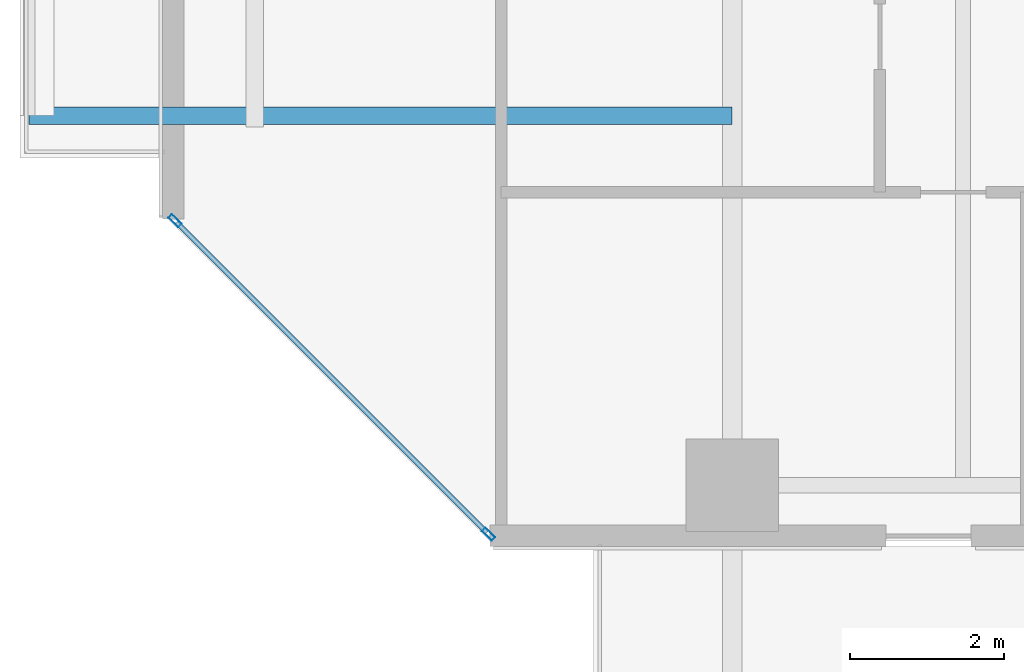
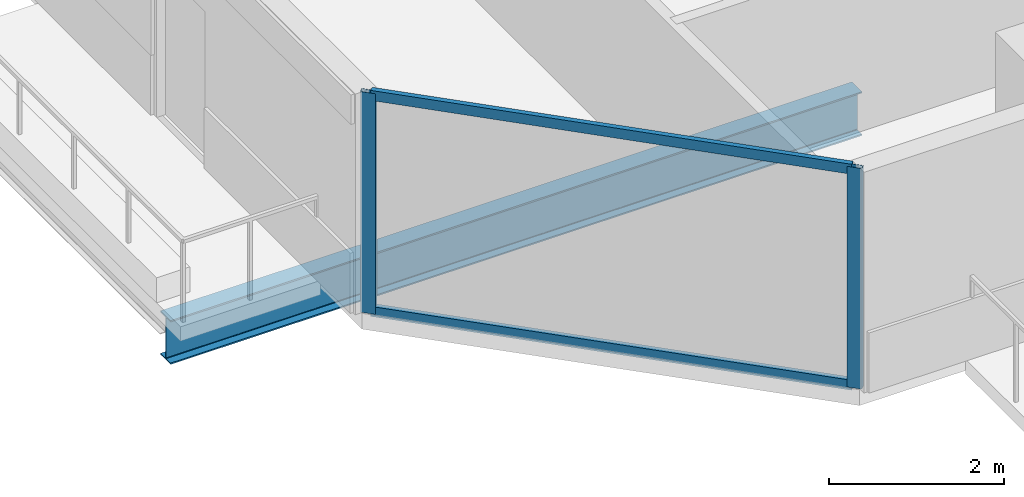
# One storey, part 2 of 33: 4 members, 1 beam, 1 element without a shape of its own.
"""IFC4 building model written with IfcOpenShell, lengths in metres."""

from ifc_helpers import new_model, si_unit, direction, frame, origin, origin_2d, place, context, subcontext, project, spatial, hollow_rectangle, i_section, extrude, material, layer, layer_set, material_profile, profile_set, type_object, element, aggregate, save


model = new_model("IFC4")

# Units and contexts
model_context = context("Model", 3, precision=1e-05, world=origin(), true_north=direction((0.0, 1.0)))
body_context = subcontext(model_context, "Body", "Model", "MODEL_VIEW")
ifc_project = project(units=[si_unit("LENGTHUNIT", "METRE"), si_unit("AREAUNIT", "SQUARE_METRE"), si_unit("VOLUMEUNIT", "CUBIC_METRE"), si_unit("PLANEANGLEUNIT", "RADIAN"), si_unit("MASSUNIT", "GRAM", prefix="KILO")], contexts=[model_context])

# Site, building, storey
site_placement = place(None, origin())
site = spatial("IfcSite", under=ifc_project, at=site_placement, CompositionType="ELEMENT")
building_placement = place(site_placement, origin())
building = spatial("IfcBuilding", under=site, at=building_placement, Name="Tanjung Sevakor Pilgrim Tower", CompositionType="ELEMENT")
storey_placement = place(building_placement, frame((0.0, 0.0, 38.93994140625)))
storey = spatial("IfcBuildingStorey", under=building, at=storey_placement, Name="L10", CompositionType="ELEMENT", Elevation=38.93994140625)

# Beam
ifc_material_1 = material(Name="Steel S355J2", Category="steel")
ifc_material_profile_1 = material_profile(ifc_material_1, i_section(OverallWidth=0.22900390625, OverallDepth=0.6123046875, WebThickness=0.011962890625, FlangeThickness=0.01953125, FilletRadius=0.0126953125, at=origin_2d()))
ifc_profile_set_1 = profile_set([ifc_material_profile_1], Name="Steel S355J2")
beam_type = type_object("IfcBeamType", Name="BM-B-G4-UB_610x229x125", PredefinedType="BEAM", material=ifc_profile_set_1)
beam_placement = place(storey_placement, frame((24.0, 13.199951171875, -0.526123046875), z_axis=(-1.0, 0.0, 0.0), x_axis=(0.0, -1.0, 0.0)))
element("IfcBeam", 1, at=beam_placement, inside=storey, type_object=beam_type, Name="L10 Balcony Overhanging Beam MAIN-W1-1", PredefinedType="BEAM", context=body_context, shape_type="SweptSolid", body=[
    extrude(i_section(OverallWidth=0.22900390625, OverallDepth=0.6123046875, WebThickness=0.011962890625, FlangeThickness=0.01953125, FilletRadius=0.0126953125, at=origin_2d()), origin(), (0.0, 0.0, 1.0), 9.1298828125),
])

# Curtain wall, members
ifc_material_2 = material(Name="Aluminium 6063-T6 and Low-E Glass", Category="aluminium")
ifc_layer = layer(ifc_material_2, 0.179931640625)
ifc_layer_set = layer_set([ifc_layer], Name="CW-SYS-CHAM")
curtain_wall_type = type_object("IfcCurtainWallType", Name="CW-SYS-CHAM", PredefinedType="NOTDEFINED", material=ifc_layer_set)
curtain_wall_placement = place(storey_placement, origin())
curtain_wall = element("IfcCurtainWall", 2, at=curtain_wall_placement, inside=storey, type_object=curtain_wall_type, Name="L10 Curtain Wall CW-CHM-L10-MAIN-15", PredefinedType="NOTDEFINED")
ifc_material_3 = material(Name="Aluminium 6063-T6", Category="aluminium")
ifc_material_profile_2 = material_profile(ifc_material_3, hollow_rectangle(XDim=0.06494140625, YDim=0.179931640625, WallThickness=0.00390625, at=origin_2d()))
ifc_profile_set_2 = profile_set([ifc_material_profile_2], Name="Aluminium 6063-T6")
member_type_1 = type_object("IfcMemberType", Name="TYPE-CWM-1", PredefinedType="MULLION", material=ifc_profile_set_2)
member_1_placement = place(storey_placement, frame((16.762939453125, 11.8349609375, 0.0), z_axis=(0.0, 0.0, 1.0), x_axis=(0.707106781187, 0.707106781187, 0.0)))
member_1 = element("IfcMember", 3, at=member_1_placement, type_object=member_type_1, Name="CW-CHM mullion 1", PredefinedType="MULLION", context=body_context, shape_type="SweptSolid", body=[
    extrude(hollow_rectangle(XDim=0.06494140625, YDim=0.179931640625, WallThickness=0.00390625, at=origin_2d()), origin(), (0.0, 0.0, 1.0), 3.080078125),
])
member_2_placement = place(storey_placement, frame((20.8349609375, 7.762939453125, 0.0), z_axis=(0.0, 0.0, 1.0), x_axis=(0.707106781187, 0.707106781187, 0.0)))
member_2 = element("IfcMember", 4, at=member_2_placement, type_object=member_type_1, Name="CW-CHM mullion 2", PredefinedType="MULLION", context=body_context, shape_type="SweptSolid", body=[
    extrude(hollow_rectangle(XDim=0.06494140625, YDim=0.179931640625, WallThickness=0.00390625, at=origin_2d()), origin(), (0.0, 0.0, 1.0), 3.080078125),
])
ifc_material_4 = material(Name="Aluminium 6063-T6", Category="aluminium")
ifc_material_profile_3 = material_profile(ifc_material_4, hollow_rectangle(XDim=0.06494140625, YDim=0.139892578125, WallThickness=0.00390625, at=origin_2d()))
ifc_profile_set_3 = profile_set([ifc_material_profile_3], Name="Aluminium 6063-T6")
member_type_2 = type_object("IfcMemberType", Name="TYPE-CWT-1", PredefinedType="USERDEFINED", material=ifc_profile_set_3)
member_3_placement = place(storey_placement, frame((16.785888671875, 11.81201171875, 0.032470703125), z_axis=(0.707106781187, -0.707106781187, 0.0), x_axis=(0.707106781187, 0.707106781187, 0.0)))
member_3 = element("IfcMember", 5, at=member_3_placement, type_object=member_type_2, Name="CW-CHM transom 1.1", ObjectType="TRANSOM", PredefinedType="USERDEFINED", context=body_context, shape_type="SweptSolid", body=[
    extrude(hollow_rectangle(XDim=0.06494140625, YDim=0.139892578125, WallThickness=0.00390625, at=origin_2d()), origin(), (0.0, 0.0, 1.0), 5.69384765625),
])
member_4_placement = place(storey_placement, frame((16.785888671875, 11.81201171875, 3.047607421875), z_axis=(0.707106781187, -0.707106781187, 0.0), x_axis=(0.707106781187, 0.707106781187, 0.0)))
member_4 = element("IfcMember", 6, at=member_4_placement, type_object=member_type_2, Name="CW-CHM transom 1.2", ObjectType="TRANSOM", PredefinedType="USERDEFINED", context=body_context, shape_type="SweptSolid", body=[
    extrude(hollow_rectangle(XDim=0.06494140625, YDim=0.139892578125, WallThickness=0.00390625, at=origin_2d()), origin(), (0.0, 0.0, 1.0), 5.69384765625),
])
aggregate(curtain_wall, [member_1, member_2, member_3, member_4])

save(model, "model.ifc")
